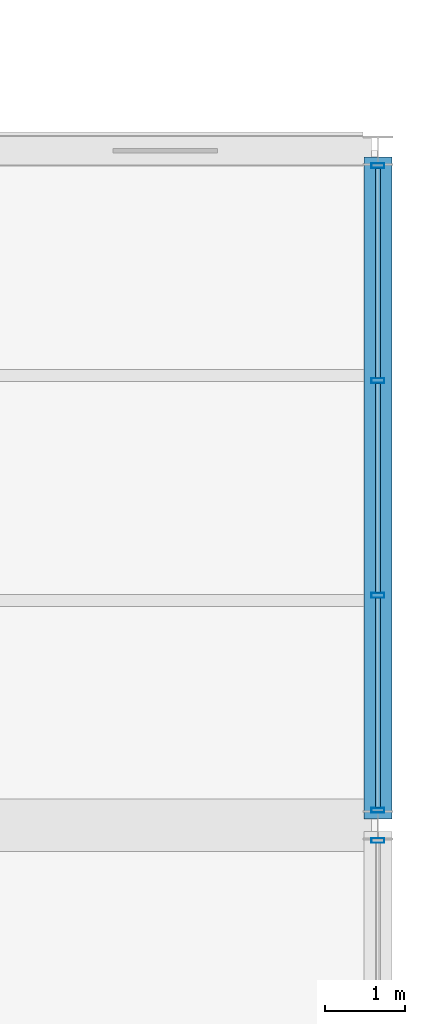
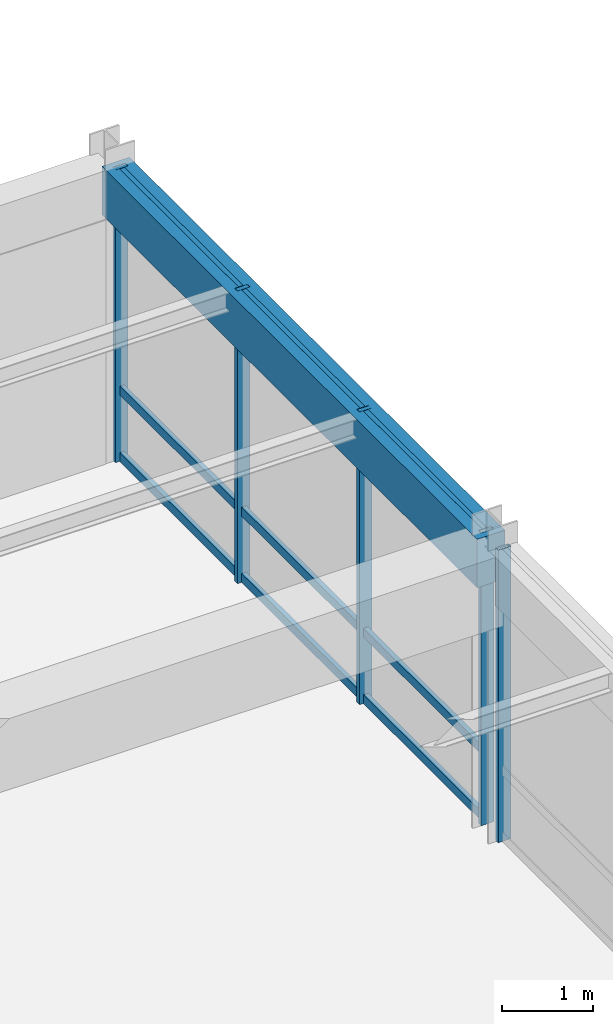
# One storey, part 83 of 138: 14 members, 1 beam, 2 elements without a shape of their own.
"""IFC4 building model written with IfcOpenShell, lengths in metres."""

import ifcopenshell
import ifcopenshell.guid

model = None  # the IFC model being written
_history = None  # IfcOwnerHistory: only IFC2X3 demands one
_inside = {}  # id of a spatial element -> (the spatial element, [elements in it])
_under = {}  # id of a project, library or spatial element -> (it, [spatial elements below it])
_declared = {}  # id of a project -> (the project, [libraries it declares])
_typed = {}  # id of a type object -> (the type object, [elements of that type])
_made_of = {}  # id of a material, layer set ... -> (it, [elements and type objects made of it])


def new_model(schema):
    """Start an empty IFC model of exactly this schema.

    Asked for "IFC4X3", IfcOpenShell would pick the latest addendum, in which some entities
    have other attributes; the version numbers below select the first issue.
    IFC2X3 requires an IfcOwnerHistory on every rooted entity: one is made here for all.
    """
    global model, _history
    if schema == "IFC4X3":
        model = ifcopenshell.file(schema_version=(4, 3, 0, 0))
    else:
        model = ifcopenshell.file(schema=schema)
    _inside.clear()
    _under.clear()
    _declared.clear()
    _typed.clear()
    _made_of.clear()
    _history = None
    if model.schema == "IFC2X3":
        org = make("IfcOrganization", Name="unknown")
        user = make(
            "IfcPersonAndOrganization",
            ThePerson=make("IfcPerson", FamilyName="unknown"),
            TheOrganization=org,
        )
        app = make(
            "IfcApplication",
            ApplicationDeveloper=org,
            Version="unknown",
            ApplicationFullName="unknown",
            ApplicationIdentifier="unknown",
        )
        _history = make(
            "IfcOwnerHistory",
            OwningUser=user,
            OwningApplication=app,
            ChangeAction="ADDED",
            CreationDate=0,
        )
    return model


def make(cls, **values):
    """One entity of the class cls with the attributes given. An attribute that is None is left unset."""
    return model.create_entity(
        cls, **{name: value for name, value in values.items() if value is not None}
    )


def rooted(cls, **values):
    """An entity with a GlobalId (a new one), such as an element, a storey or a relation."""
    return make(cls, GlobalId=ifcopenshell.guid.new(), OwnerHistory=_history, **values)


def si_unit(unit_type, name, prefix=None):
    """IfcSIUnit, for example si_unit("LENGTHUNIT", "METRE", prefix="MILLI")."""
    return make("IfcSIUnit", UnitType=unit_type, Prefix=prefix, Name=name)


def assignment(units):
    """IfcUnitAssignment: the units of a project."""
    return None if units is None else make("IfcUnitAssignment", Units=units)


def point(xyz):
    """IfcCartesianPoint."""
    return None if xyz is None else make("IfcCartesianPoint", Coordinates=xyz)


def direction(xyz):
    """IfcDirection."""
    return None if xyz is None else make("IfcDirection", DirectionRatios=xyz)


def frame(location, z_axis=None, x_axis=None):
    """IfcAxis2Placement3D, a coordinate frame: its origin and axes. An axis left out is left unset."""
    return make(
        "IfcAxis2Placement3D",
        Location=point(location),
        Axis=direction(z_axis),
        RefDirection=direction(x_axis),
    )


def frame_2d(location, x_axis=None):
    """IfcAxis2Placement2D, a coordinate frame in the plane: its origin and x axis."""
    return make(
        "IfcAxis2Placement2D", Location=point(location), RefDirection=direction(x_axis)
    )


def origin():
    """The frame at (0, 0, 0) with its axes left unset."""
    return frame((0.0, 0.0, 0.0))


def origin_2d():
    """The frame at (0, 0) in the plane with its x axis left unset."""
    return frame_2d((0.0, 0.0))


def place(relative_to, where):
    """IfcLocalPlacement: puts the frame where relative to a parent placement (None: the world)."""
    return make(
        "IfcLocalPlacement", PlacementRelTo=relative_to, RelativePlacement=where
    )


def context(
    kind, dimensions, precision=None, world=None, true_north=None, identifier=None
):
    """IfcGeometricRepresentationContext, for example the 3D "Model" context."""
    return make(
        "IfcGeometricRepresentationContext",
        ContextIdentifier=identifier,
        ContextType=kind,
        CoordinateSpaceDimension=dimensions,
        Precision=precision,
        WorldCoordinateSystem=world,
        TrueNorth=true_north,
    )


def subcontext(parent, identifier, kind, view, scale=None):
    """IfcGeometricRepresentationSubContext, for example "Body" below "Model"."""
    return make(
        "IfcGeometricRepresentationSubContext",
        ContextIdentifier=identifier,
        ContextType=kind,
        ParentContext=parent,
        TargetScale=scale,
        TargetView=view,
    )


def project(units=None, contexts=None):
    """IfcProject with its units and contexts."""
    return rooted(
        "IfcProject",
        Name="project",
        RepresentationContexts=contexts,
        UnitsInContext=assignment(units),
    )


def spatial(cls, under=None, at=None, **own):
    """A site, building, storey or space (cls), placed at a placement, below another one or the project."""
    s = rooted(cls, ObjectPlacement=at, **own)
    if under is not None:
        _under.setdefault(under.id(), (under, []))[1].append(s)
    return s


def profile(cls, at=None, kind="AREA", **sizes):
    """A parametric profile (cls). Its sizes go by their IFC names, for example OverallWidth=200.0."""
    return make(cls, ProfileType=kind, Position=at, **sizes)


def rectangle(**sizes):
    """IfcRectangleProfileDef."""
    return profile("IfcRectangleProfileDef", **sizes)


def hollow_rectangle(**sizes):
    """IfcRectangleHollowProfileDef."""
    return profile("IfcRectangleHollowProfileDef", **sizes)


def extrude(swept, where, along, depth):
    """IfcExtrudedAreaSolid: the profile swept, set in the frame where, extruded along a direction by depth."""
    return make(
        "IfcExtrudedAreaSolid",
        SweptArea=swept,
        Position=where,
        ExtrudedDirection=direction(along),
        Depth=depth,
    )


def shape(context_of_items, identifier, shape_type, items):
    """IfcShapeRepresentation: the items that make up one representation, for example the "Body"."""
    return make(
        "IfcShapeRepresentation",
        ContextOfItems=context_of_items,
        RepresentationIdentifier=identifier,
        RepresentationType=shape_type,
        Items=items,
    )


def material(Name=None, Category=None):
    """IfcMaterial."""
    return make("IfcMaterial", Name=Name, Category=Category)


def material_profile(
    of_material, cross_section, Name=None, Category=None, Priority=None
):
    """IfcMaterialProfile: a cross section and its material."""
    return make(
        "IfcMaterialProfile",
        Name=Name,
        Material=of_material,
        Profile=cross_section,
        Priority=Priority,
        Category=Category,
    )


def profile_set(profiles, Name=None, composite=None):
    """IfcMaterialProfileSet."""
    return make(
        "IfcMaterialProfileSet",
        Name=Name,
        MaterialProfiles=profiles,
        CompositeProfile=composite,
    )


def made_of(thing, what):
    """Note that an element or type object is made of a material, layer set ...; save() writes the relation."""
    if what is not None:
        _made_of.setdefault(what.id(), (what, []))[1].append(thing)
    return thing


def type_object(cls, material=None, **own):
    """A type object (cls), such as IfcWallType, which elements share."""
    return made_of(rooted(cls, **own), material)


def element(
    cls,
    number,
    at=None,
    inside=None,
    cuts=None,
    type_object=None,
    material=None,
    context=None,
    identifier="Body",
    shape_type=None,
    held_by="IfcProductDefinitionShape",
    body=None,
    shapes=None,
    **own,
):
    """One element of the class cls, such as IfcWall. Its Tag is "e" and its number.

    at: its placement. inside: the storey or other place that contains it. cuts: it is an
    opening in that element (IfcRelVoidsElement). A single representation is given by context,
    identifier, shape_type and body (its items); several are given by shapes. held_by: the class
    of the entity that holds the representations. save() writes the other relations.
    """
    e = rooted(cls, Tag="e%d" % number, ObjectPlacement=at, **own)
    if body is not None:
        shapes = [shape(context, identifier, shape_type, body)]
    if shapes is not None:
        e.Representation = make(held_by, Representations=shapes)
    if inside is not None:
        _inside.setdefault(inside.id(), (inside, []))[1].append(e)
    if cuts is not None:
        rooted(
            "IfcRelVoidsElement", RelatingBuildingElement=cuts, RelatedOpeningElement=e
        )
    if type_object is not None:
        _typed.setdefault(type_object.id(), (type_object, []))[1].append(e)
    return made_of(e, material)


def aggregate(whole, parts):
    """IfcRelAggregates: a whole, such as a stair, and the parts it consists of."""
    return rooted("IfcRelAggregates", RelatingObject=whole, RelatedObjects=parts)


def save(model, path):
    """Write the relations noted so far, then the file.

    IfcRelAggregates (storeys below a building ...), IfcRelContainedInSpatialStructure (elements
    in a storey), IfcRelDefinesByType, IfcRelAssociatesMaterial and IfcRelDeclares: one each for
    every whole, place, type object, material and project.
    """
    for whole, parts in _under.values():
        aggregate(whole, parts)
    for where, things in _inside.values():
        rooted(
            "IfcRelContainedInSpatialStructure",
            RelatedElements=things,
            RelatingStructure=where,
        )
    for kind, things in _typed.values():
        rooted("IfcRelDefinesByType", RelatedObjects=things, RelatingType=kind)
    for what, things in _made_of.values():
        rooted("IfcRelAssociatesMaterial", RelatedObjects=things, RelatingMaterial=what)
    for by, libraries in _declared.values():
        rooted("IfcRelDeclares", RelatingContext=by, RelatedDefinitions=libraries)
    model.write(path)


model = new_model("IFC4")

# Units and contexts
model_context = context("Model", 3, precision=1e-05, world=origin(), true_north=direction((0.0, 1.0)))
body_context = subcontext(model_context, "Body", "Model", "MODEL_VIEW")
ifc_project = project(units=[si_unit("LENGTHUNIT", "METRE"), si_unit("AREAUNIT", "SQUARE_METRE"), si_unit("VOLUMEUNIT", "CUBIC_METRE"), si_unit("PLANEANGLEUNIT", "RADIAN"), si_unit("MASSUNIT", "GRAM", prefix="KILO"), si_unit("THERMODYNAMICTEMPERATUREUNIT", "KELVIN"), si_unit("POWERUNIT", "WATT")], contexts=[model_context])

# Site, building, storey
site_placement = place(None, origin())
site = spatial("IfcSite", under=ifc_project, at=site_placement, CompositionType="ELEMENT")
building_placement = place(site_placement, origin())
building = spatial("IfcBuilding", under=site, at=building_placement, Name="Darbajah Civic Hall", CompositionType="ELEMENT")
storey_placement = place(building_placement, frame((0.0, 0.0, 9.60009765625)))
storey = spatial("IfcBuildingStorey", under=building, at=storey_placement, Name="L02", CompositionType="ELEMENT", Elevation=9.60009765625)

# Curtain wall, member
ifc_material_1 = material(Name="Anodised Bronze Aluminium and Low-E Glazing", Category="aluminium")
curtain_wall_type = type_object("IfcCurtainWallType", Name="Unitised Curtain Wall CW-94 8000x3900", PredefinedType="USERDEFINED", material=ifc_material_1)
curtain_wall_1_placement = place(storey_placement, origin())
curtain_wall_1 = element("IfcCurtainWall", 1, at=curtain_wall_1_placement, inside=storey, type_object=curtain_wall_type, Name="L02 unitised curtain wall CW-V3-L02-S3-B2", ObjectType="UNITISED CURTAIN WALL", PredefinedType="USERDEFINED")
ifc_material_2 = material(Name="Anodised Bronze Aluminium", Category="aluminium")
ifc_material_profile_1 = material_profile(ifc_material_2, hollow_rectangle(XDim=0.06005859375, YDim=0.159912109375, WallThickness=0.00341796875, at=origin_2d()), Name="ALU MULLION 60x160")
ifc_profile_set_1 = profile_set([ifc_material_profile_1], Name="Anodised Bronze Aluminium")
member_type_1 = type_object("IfcMemberType", Name="ALU MULLION 60x160", PredefinedType="MULLION", material=ifc_profile_set_1)
member_1_placement = place(storey_placement, frame((178.199951171875, 33.41162109375, 0.0), z_axis=(0.0, 0.0, 1.0), x_axis=(0.0, 1.0, 0.0)))
member_1 = element("IfcMember", 2, at=member_1_placement, type_object=member_type_1, Name="CW-V3-L02-S3-B2 mullion 4", PredefinedType="MULLION", context=body_context, shape_type="SweptSolid", body=[
    extrude(hollow_rectangle(XDim=0.06005859375, YDim=0.159912109375, WallThickness=0.00341796875, at=origin_2d()), origin(), (0.0, 0.0, 1.0), 3.919921875),
])
aggregate(curtain_wall_1, [member_1])

# Curtain wall, members
curtain_wall_2_placement = place(storey_placement, origin())
curtain_wall_2 = element("IfcCurtainWall", 3, at=curtain_wall_2_placement, inside=storey, type_object=curtain_wall_type, Name="L02 unitised curtain wall CW-V3-L02-S3-B3", ObjectType="UNITISED CURTAIN WALL", PredefinedType="USERDEFINED")
member_2_placement = place(storey_placement, frame((178.199951171875, 33.788330078125, 0.0), z_axis=(0.0, 0.0, 1.0), x_axis=(0.0, 1.0, 0.0)))
member_2 = element("IfcMember", 4, at=member_2_placement, type_object=member_type_1, Name="CW-V3-L02-S3-B3 mullion 1", PredefinedType="MULLION", context=body_context, shape_type="SweptSolid", body=[
    extrude(hollow_rectangle(XDim=0.06005859375, YDim=0.159912109375, WallThickness=0.00341796875, at=origin_2d()), origin(), (0.0, 0.0, 1.0), 3.919921875),
])
member_3_placement = place(storey_placement, frame((178.199951171875, 36.462890625, 0.0), z_axis=(0.0, 0.0, 1.0), x_axis=(0.0, 1.0, 0.0)))
member_3 = element("IfcMember", 5, at=member_3_placement, type_object=member_type_1, Name="CW-V3-L02-S3-B3 mullion 2", PredefinedType="MULLION", context=body_context, shape_type="SweptSolid", body=[
    extrude(hollow_rectangle(XDim=0.06005859375, YDim=0.159912109375, WallThickness=0.00341796875, at=origin_2d()), origin(), (0.0, 0.0, 1.0), 3.919921875),
])
member_4_placement = place(storey_placement, frame((178.199951171875, 39.13720703125, 0.0), z_axis=(0.0, 0.0, 1.0), x_axis=(0.0, 1.0, 0.0)))
member_4 = element("IfcMember", 6, at=member_4_placement, type_object=member_type_1, Name="CW-V3-L02-S3-B3 mullion 3", PredefinedType="MULLION", context=body_context, shape_type="SweptSolid", body=[
    extrude(hollow_rectangle(XDim=0.06005859375, YDim=0.159912109375, WallThickness=0.00341796875, at=origin_2d()), origin(), (0.0, 0.0, 1.0), 3.919921875),
])
member_5_placement = place(storey_placement, frame((178.199951171875, 41.811767578125, 0.0), z_axis=(0.0, 0.0, 1.0), x_axis=(0.0, 1.0, 0.0)))
member_5 = element("IfcMember", 7, at=member_5_placement, type_object=member_type_1, Name="CW-V3-L02-S3-B3 mullion 4", PredefinedType="MULLION", context=body_context, shape_type="SweptSolid", body=[
    extrude(hollow_rectangle(XDim=0.06005859375, YDim=0.159912109375, WallThickness=0.00341796875, at=origin_2d()), origin(), (0.0, 0.0, 1.0), 3.919921875),
])
ifc_material_profile_2 = material_profile(ifc_material_2, hollow_rectangle(XDim=0.06005859375, YDim=0.1201171875, WallThickness=0.003173828125, at=origin_2d()), Name="ALU TRANSOM 60x120")
ifc_profile_set_2 = profile_set([ifc_material_profile_2], Name="Anodised Bronze Aluminium")
member_type_2 = type_object("IfcMemberType", Name="ALU TRANSOM 60x120", PredefinedType="USERDEFINED", material=ifc_profile_set_2)
member_6_placement = place(storey_placement, frame((178.199951171875, 33.8232421875, 0.059814453125), z_axis=(0.0, 1.0, 0.0), x_axis=(-1.0, 0.0, 0.0)))
member_6 = element("IfcMember", 8, at=member_6_placement, type_object=member_type_2, Name="CW-V3-L02-S3-B3 transom 1.1", ObjectType="TRANSOM", PredefinedType="USERDEFINED", context=body_context, shape_type="SweptSolid", body=[
    extrude(hollow_rectangle(XDim=0.06005859375, YDim=0.1201171875, WallThickness=0.003173828125, at=origin_2d()), origin(), (0.0, 0.0, 1.0), 2.6044921875),
])
member_7_placement = place(storey_placement, frame((178.199951171875, 33.8232421875, 0.949951171875), z_axis=(0.0, 1.0, 0.0), x_axis=(-1.0, 0.0, 0.0)))
member_7 = element("IfcMember", 9, at=member_7_placement, type_object=member_type_2, Name="CW-V3-L02-S3-B3 transom 1.2", ObjectType="TRANSOM", PredefinedType="USERDEFINED", context=body_context, shape_type="SweptSolid", body=[
    extrude(hollow_rectangle(XDim=0.06005859375, YDim=0.1201171875, WallThickness=0.003173828125, at=origin_2d()), origin(), (0.0, 0.0, 1.0), 2.6044921875),
])
member_8_placement = place(storey_placement, frame((178.199951171875, 33.8232421875, 3.85986328125), z_axis=(0.0, 1.0, 0.0), x_axis=(-1.0, 0.0, 0.0)))
member_8 = element("IfcMember", 10, at=member_8_placement, type_object=member_type_2, Name="CW-V3-L02-S3-B3 transom 1.3", ObjectType="TRANSOM", PredefinedType="USERDEFINED", context=body_context, shape_type="SweptSolid", body=[
    extrude(hollow_rectangle(XDim=0.06005859375, YDim=0.1201171875, WallThickness=0.003173828125, at=origin_2d()), origin(), (0.0, 0.0, 1.0), 2.6044921875),
])
member_9_placement = place(storey_placement, frame((178.199951171875, 36.497802734375, 0.059814453125), z_axis=(0.0, 1.0, 0.0), x_axis=(-1.0, 0.0, 0.0)))
member_9 = element("IfcMember", 11, at=member_9_placement, type_object=member_type_2, Name="CW-V3-L02-S3-B3 transom 2.1", ObjectType="TRANSOM", PredefinedType="USERDEFINED", context=body_context, shape_type="SweptSolid", body=[
    extrude(hollow_rectangle(XDim=0.06005859375, YDim=0.1201171875, WallThickness=0.003173828125, at=origin_2d()), origin(), (0.0, 0.0, 1.0), 2.6044921875),
])
member_10_placement = place(storey_placement, frame((178.199951171875, 36.497802734375, 0.949951171875), z_axis=(0.0, 1.0, 0.0), x_axis=(-1.0, 0.0, 0.0)))
member_10 = element("IfcMember", 12, at=member_10_placement, type_object=member_type_2, Name="CW-V3-L02-S3-B3 transom 2.2", ObjectType="TRANSOM", PredefinedType="USERDEFINED", context=body_context, shape_type="SweptSolid", body=[
    extrude(hollow_rectangle(XDim=0.06005859375, YDim=0.1201171875, WallThickness=0.003173828125, at=origin_2d()), origin(), (0.0, 0.0, 1.0), 2.6044921875),
])
member_11_placement = place(storey_placement, frame((178.199951171875, 36.497802734375, 3.85986328125), z_axis=(0.0, 1.0, 0.0), x_axis=(-1.0, 0.0, 0.0)))
member_11 = element("IfcMember", 13, at=member_11_placement, type_object=member_type_2, Name="CW-V3-L02-S3-B3 transom 2.3", ObjectType="TRANSOM", PredefinedType="USERDEFINED", context=body_context, shape_type="SweptSolid", body=[
    extrude(hollow_rectangle(XDim=0.06005859375, YDim=0.1201171875, WallThickness=0.003173828125, at=origin_2d()), origin(), (0.0, 0.0, 1.0), 2.6044921875),
])
member_12_placement = place(storey_placement, frame((178.199951171875, 39.172119140625, 0.059814453125), z_axis=(0.0, 1.0, 0.0), x_axis=(-1.0, 0.0, 0.0)))
member_12 = element("IfcMember", 14, at=member_12_placement, type_object=member_type_2, Name="CW-V3-L02-S3-B3 transom 3.1", ObjectType="TRANSOM", PredefinedType="USERDEFINED", context=body_context, shape_type="SweptSolid", body=[
    extrude(hollow_rectangle(XDim=0.06005859375, YDim=0.1201171875, WallThickness=0.003173828125, at=origin_2d()), origin(), (0.0, 0.0, 1.0), 2.6044921875),
])
member_13_placement = place(storey_placement, frame((178.199951171875, 39.172119140625, 0.949951171875), z_axis=(0.0, 1.0, 0.0), x_axis=(-1.0, 0.0, 0.0)))
member_13 = element("IfcMember", 15, at=member_13_placement, type_object=member_type_2, Name="CW-V3-L02-S3-B3 transom 3.2", ObjectType="TRANSOM", PredefinedType="USERDEFINED", context=body_context, shape_type="SweptSolid", body=[
    extrude(hollow_rectangle(XDim=0.06005859375, YDim=0.1201171875, WallThickness=0.003173828125, at=origin_2d()), origin(), (0.0, 0.0, 1.0), 2.6044921875),
])
member_14_placement = place(storey_placement, frame((178.199951171875, 39.172119140625, 3.85986328125), z_axis=(0.0, 1.0, 0.0), x_axis=(-1.0, 0.0, 0.0)))
member_14 = element("IfcMember", 16, at=member_14_placement, type_object=member_type_2, Name="CW-V3-L02-S3-B3 transom 3.3", ObjectType="TRANSOM", PredefinedType="USERDEFINED", context=body_context, shape_type="SweptSolid", body=[
    extrude(hollow_rectangle(XDim=0.06005859375, YDim=0.1201171875, WallThickness=0.003173828125, at=origin_2d()), origin(), (0.0, 0.0, 1.0), 2.6044921875),
])
aggregate(curtain_wall_2, [member_2, member_3, member_4, member_5, member_6, member_7, member_8, member_9, member_10, member_11, member_12, member_13, member_14])

# Beam
ifc_material_3 = material(Name="Concrete C45/55", Category="concrete")
ifc_material_profile_3 = material_profile(ifc_material_3, rectangle(XDim=0.35009765625, YDim=0.64990234375, at=origin_2d()), Name="RC SPANDREL 350x650")
ifc_profile_set_3 = profile_set([ifc_material_profile_3], Name="Concrete C45/55")
beam_type = type_object("IfcBeamType", Name="RC SPANDREL 350x650", PredefinedType="SPANDREL", material=ifc_profile_set_3)
beam_placement = place(storey_placement, frame((178.199951171875, 33.679931640625, 3.594970703125), z_axis=(0.0, 1.0, 0.0), x_axis=(-1.0, 0.0, 0.0)))
element("IfcBeam", 17, at=beam_placement, inside=storey, type_object=beam_type, Name="L02 beam SP-3565", PredefinedType="SPANDREL", context=body_context, shape_type="SweptSolid", body=[
    extrude(rectangle(XDim=0.35009765625, YDim=0.64990234375, at=origin_2d()), origin(), (0.0, 0.0, 1.0), 8.239990234375),
])

save(model, "model.ifc")
